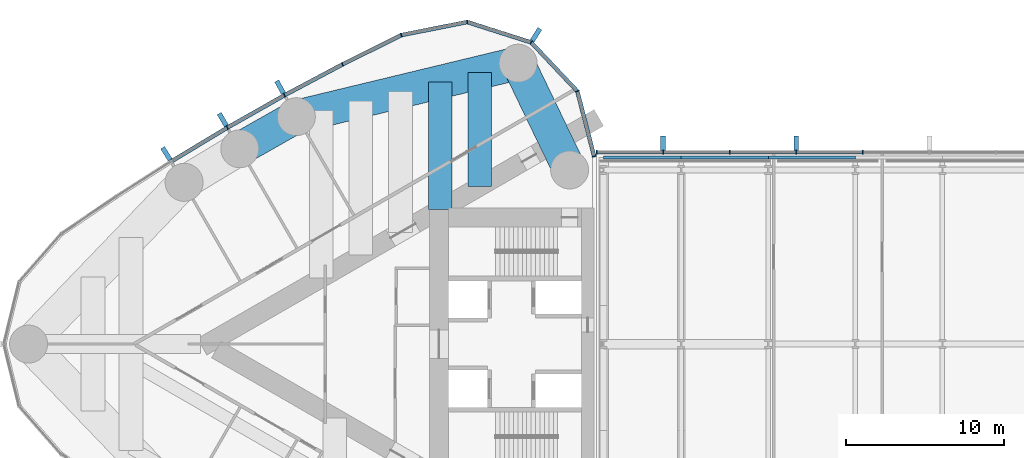
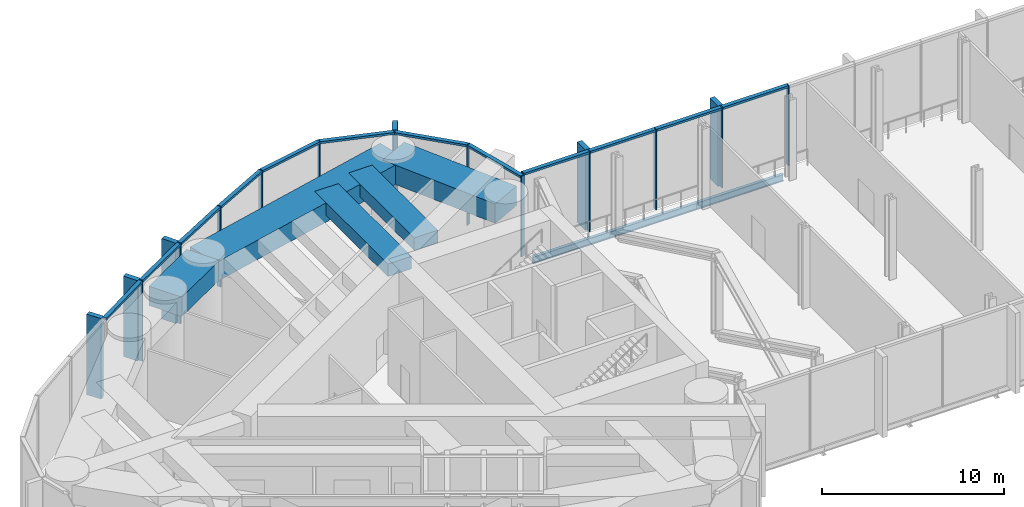
# One storey, part 6 of 21: 31 members, 8 beams, 2 elements without a shape of their own.
"""IFC4 building model written with IfcOpenShell, lengths in metres."""

from ifc_helpers import new_model, si_unit, direction, frame, origin, origin_2d, place, context, subcontext, project, spatial, rectangle, i_section, extrude, material, material_profile, profile_set, type_object, element, aggregate, save


model = new_model("IFC4")

# Units and contexts
model_context = context("Model", 3, precision=1e-05, world=origin(), true_north=direction((0.0, 1.0)))
body_context = subcontext(model_context, "Body", "Model", "MODEL_VIEW")
ifc_project = project(units=[si_unit("LENGTHUNIT", "METRE"), si_unit("AREAUNIT", "SQUARE_METRE"), si_unit("VOLUMEUNIT", "CUBIC_METRE"), si_unit("PLANEANGLEUNIT", "RADIAN"), si_unit("MASSUNIT", "GRAM", prefix="KILO")], contexts=[model_context])

# Site, building, storey
site_placement = place(None, origin())
site = spatial("IfcSite", under=ifc_project, at=site_placement, CompositionType="ELEMENT")
building_placement = place(site_placement, origin())
building = spatial("IfcBuilding", under=site, at=building_placement, Name="Lancet Gate Hotel", CompositionType="ELEMENT")
storey_placement = place(building_placement, frame((0.0, 0.0, 251.89990234375)))
storey = spatial("IfcBuildingStorey", under=building, at=storey_placement, Name="L67", CompositionType="ELEMENT", Elevation=251.89990234375)

# Curtain wall, members
ifc_material_1 = material(Name="Aluminium curtain wall", Category="aluminium")
curtain_wall_type = type_object("IfcCurtainWallType", Name="Sky deck full-height glazing", PredefinedType="USERDEFINED", material=ifc_material_1)
curtain_wall_1_placement = place(storey_placement, origin())
curtain_wall_1 = element("IfcCurtainWall", 1, at=curtain_wall_1_placement, inside=storey, type_object=curtain_wall_type, Name="T1 L67 curtain wall 1", ObjectType="UNITISED CURTAIN WALL", PredefinedType="USERDEFINED")
ifc_material_2 = material(Name="Aluminium mullion", Category="aluminium")
ifc_material_profile_1 = material_profile(ifc_material_2, rectangle(XDim=0.06494140625, YDim=0.25, at=origin_2d()), Name="MULLION 65x250")
ifc_profile_set_1 = profile_set([ifc_material_profile_1], Name="Aluminium mullion")
member_type_1 = type_object("IfcMemberType", Name="Aluminium mullion 65x250", PredefinedType="MULLION", material=ifc_profile_set_1)
member_1_placement = place(storey_placement, frame((-27.5, 11.861572265625, 0.0), z_axis=(0.0, 0.0, 1.0), x_axis=(-0.249725827997, 0.968316586056, 0.0)))
member_1 = element("IfcMember", 2, at=member_1_placement, type_object=member_type_1, Name="T1 L67 curtain wall 1 mullion 1", PredefinedType="MULLION", context=body_context, shape_type="SweptSolid", body=[
    extrude(rectangle(XDim=0.06494140625, YDim=0.25, at=origin_2d()), origin(), (0.0, 0.0, 1.0), 5.400146484375),
])
member_2_placement = place(storey_placement, frame((-28.56005859375, 15.97216796875, 0.0), z_axis=(0.0, 0.0, 1.0), x_axis=(-0.483627322447, 0.875274021654, 0.0)))
member_2 = element("IfcMember", 3, at=member_2_placement, type_object=member_type_1, Name="T1 L67 curtain wall 1 mullion 2", PredefinedType="MULLION", context=body_context, shape_type="SweptSolid", body=[
    extrude(rectangle(XDim=0.06494140625, YDim=0.25, at=origin_2d()), origin(), (0.0, 0.0, 1.0), 5.400146484375),
])
member_3_placement = place(storey_placement, frame((-31.476318359375, 19.0576171875, 0.0), z_axis=(0.0, 0.0, 1.0), x_axis=(-0.846612863, 0.532209225966, 0.0)))
member_3 = element("IfcMember", 4, at=member_3_placement, type_object=member_type_1, Name="T1 L67 curtain wall 1 mullion 3", PredefinedType="MULLION", context=body_context, shape_type="SweptSolid", body=[
    extrude(rectangle(XDim=0.06494140625, YDim=0.25, at=origin_2d()), origin(), (0.0, 0.0, 1.0), 5.400146484375),
])
member_4_placement = place(storey_placement, frame((-35.520751953125, 20.347900390625, 0.0), z_axis=(0.0, 0.0, 1.0), x_axis=(-0.998409168318, 0.056383797491, 0.0)))
member_4 = element("IfcMember", 5, at=member_4_placement, type_object=member_type_1, Name="T1 L67 curtain wall 1 mullion 4", PredefinedType="MULLION", context=body_context, shape_type="SweptSolid", body=[
    extrude(rectangle(XDim=0.06494140625, YDim=0.25, at=origin_2d()), origin(), (0.0, 0.0, 1.0), 5.400146484375),
])
member_5_placement = place(storey_placement, frame((-39.684814453125, 19.521240234375, 0.0), z_axis=(0.0, 0.0, 1.0), x_axis=(-0.946887706423, -0.321564412561, 0.0)))
member_5 = element("IfcMember", 6, at=member_5_placement, type_object=member_type_1, Name="T1 L67 curtain wall 1 mullion 5", PredefinedType="MULLION", context=body_context, shape_type="SweptSolid", body=[
    extrude(rectangle(XDim=0.06494140625, YDim=0.25, at=origin_2d()), origin(), (0.0, 0.0, 1.0), 5.400146484375),
])
member_6_placement = place(storey_placement, frame((-43.3994140625, 17.67236328125, 0.0), z_axis=(0.0, 0.0, 1.0), x_axis=(-0.889155526065, -0.457605125046, 0.0)))
member_6 = element("IfcMember", 7, at=member_6_placement, type_object=member_type_1, Name="T1 L67 curtain wall 1 mullion 6", PredefinedType="MULLION", context=body_context, shape_type="SweptSolid", body=[
    extrude(rectangle(XDim=0.06494140625, YDim=0.25, at=origin_2d()), origin(), (0.0, 0.0, 1.0), 5.400146484375),
])
member_7_placement = place(storey_placement, frame((-47.062744140625, 15.72412109375, 0.0), z_axis=(0.0, 0.0, 1.0), x_axis=(-0.876516407283, -0.481371984815, 0.0)))
member_7 = element("IfcMember", 8, at=member_7_placement, type_object=member_type_1, Name="T1 L67 curtain wall 1 mullion 7", PredefinedType="MULLION", context=body_context, shape_type="SweptSolid", body=[
    extrude(rectangle(XDim=0.06494140625, YDim=0.25, at=origin_2d()), origin(), (0.0, 0.0, 1.0), 5.400146484375),
])
member_8_placement = place(storey_placement, frame((-50.67236328125, 13.677978515625, 0.0), z_axis=(0.0, 0.0, 1.0), x_axis=(-0.863242155108, -0.504790037189, 0.0)))
member_8 = element("IfcMember", 9, at=member_8_placement, type_object=member_type_1, Name="T1 L67 curtain wall 1 mullion 8", PredefinedType="MULLION", context=body_context, shape_type="SweptSolid", body=[
    extrude(rectangle(XDim=0.06494140625, YDim=0.25, at=origin_2d()), origin(), (0.0, 0.0, 1.0), 5.400146484375),
])

curtain_wall_2_placement = place(storey_placement, origin())
curtain_wall_2 = element("IfcCurtainWall", 10, at=curtain_wall_2_placement, inside=storey, type_object=curtain_wall_type, Name="Bridge block L67 curtain wall N", ObjectType="UNITISED CURTAIN WALL", PredefinedType="USERDEFINED")
member_9_placement = place(storey_placement, frame((-10.519287109375, 12.1201171875, 0.0), z_axis=(0.0, 0.0, 1.0), x_axis=(-1.0, 0.0, 0.0)))
member_9 = element("IfcMember", 11, at=member_9_placement, type_object=member_type_1, Name="Bridge block L67 curtain wall N mullion 10", PredefinedType="MULLION", context=body_context, shape_type="SweptSolid", body=[
    extrude(rectangle(XDim=0.06494140625, YDim=0.25, at=origin_2d()), origin(), (0.0, 0.0, 1.0), 5.400146484375),
])
member_10_placement = place(storey_placement, frame((-14.726806640625, 12.1201171875, 0.0), z_axis=(0.0, 0.0, 1.0), x_axis=(-1.0, 0.0, 0.0)))
member_10 = element("IfcMember", 12, at=member_10_placement, type_object=member_type_1, Name="Bridge block L67 curtain wall N mullion 11", PredefinedType="MULLION", context=body_context, shape_type="SweptSolid", body=[
    extrude(rectangle(XDim=0.06494140625, YDim=0.25, at=origin_2d()), origin(), (0.0, 0.0, 1.0), 5.400146484375),
])
member_11_placement = place(storey_placement, frame((-18.9345703125, 12.1201171875, 0.0), z_axis=(0.0, 0.0, 1.0), x_axis=(-1.0, 0.0, 0.0)))
member_11 = element("IfcMember", 13, at=member_11_placement, type_object=member_type_1, Name="Bridge block L67 curtain wall N mullion 12", PredefinedType="MULLION", context=body_context, shape_type="SweptSolid", body=[
    extrude(rectangle(XDim=0.06494140625, YDim=0.25, at=origin_2d()), origin(), (0.0, 0.0, 1.0), 5.400146484375),
])
member_12_placement = place(storey_placement, frame((-23.142333984375, 12.1201171875, 0.0), z_axis=(0.0, 0.0, 1.0), x_axis=(-1.0, 0.0, 0.0)))
member_12 = element("IfcMember", 14, at=member_12_placement, type_object=member_type_1, Name="Bridge block L67 curtain wall N mullion 13", PredefinedType="MULLION", context=body_context, shape_type="SweptSolid", body=[
    extrude(rectangle(XDim=0.06494140625, YDim=0.25, at=origin_2d()), origin(), (0.0, 0.0, 1.0), 5.400146484375),
])
member_13_placement = place(storey_placement, frame((-27.35009765625, 12.1201171875, 0.0), z_axis=(0.0, 0.0, 1.0), x_axis=(-1.0, 0.0, 0.0)))
member_13 = element("IfcMember", 15, at=member_13_placement, type_object=member_type_1, Name="Bridge block L67 curtain wall N mullion 14", PredefinedType="MULLION", context=body_context, shape_type="SweptSolid", body=[
    extrude(rectangle(XDim=0.06494140625, YDim=0.25, at=origin_2d()), origin(), (0.0, 0.0, 1.0), 5.400146484375),
])

# Member
ifc_material_3 = material(Name="Aluminium transom", Category="aluminium")
ifc_material_profile_2 = material_profile(ifc_material_3, rectangle(XDim=0.25, YDim=0.14990234375, at=origin_2d()), Name="TRANSOM 250x150")
ifc_profile_set_2 = profile_set([ifc_material_profile_2], Name="Aluminium transom")
member_type_2 = type_object("IfcMemberType", Name="Aluminium transom 250x150", PredefinedType="USERDEFINED", material=ifc_profile_set_2)
member_14_placement = place(storey_placement, frame((-27.508056640625, 11.892822265625, 5.3251953125), z_axis=(-0.249715522936, 0.968319243641, 0.0), x_axis=(-0.968319243641, -0.249715522936, 0.0)))
member_14 = element("IfcMember", 16, at=member_14_placement, type_object=member_type_2, Name="T1 L67 curtain wall 1 transom 1", ObjectType="TRANSOM", PredefinedType="USERDEFINED", context=body_context, shape_type="SweptSolid", body=[
    extrude(rectangle(XDim=0.25, YDim=0.14990234375, at=origin_2d()), origin(), (0.0, 0.0, 1.0), 4.180419921875),
])

member_15_placement = place(storey_placement, frame((-28.58251953125, 15.995849609375, 5.3251953125), z_axis=(-0.686880731091, 0.726770157103, 0.0), x_axis=(-0.726770157103, -0.686880731091, 0.0)))
member_15 = element("IfcMember", 17, at=member_15_placement, type_object=member_type_2, Name="T1 L67 curtain wall 1 transom 2", ObjectType="TRANSOM", PredefinedType="USERDEFINED", context=body_context, shape_type="SweptSolid", body=[
    extrude(rectangle(XDim=0.25, YDim=0.14990234375, at=origin_2d()), origin(), (0.0, 0.0, 1.0), 4.18017578125),
])

member_16_placement = place(storey_placement, frame((-31.507080078125, 19.067626953125, 5.3251953125), z_axis=(-0.952697713775, 0.303919506068, 0.0), x_axis=(-0.303919506068, -0.952697713775, 0.0)))
member_16 = element("IfcMember", 18, at=member_16_placement, type_object=member_type_2, Name="T1 L67 curtain wall 1 transom 3", ObjectType="TRANSOM", PredefinedType="USERDEFINED", context=body_context, shape_type="SweptSolid", body=[
    extrude(rectangle(XDim=0.25, YDim=0.14990234375, at=origin_2d()), origin(), (0.0, 0.0, 1.0), 4.180419921875),
])

member_17_placement = place(storey_placement, frame((-35.552734375, 20.341552734375, 5.3251953125), z_axis=(-0.980858234867, -0.194723196085, 0.0), x_axis=(0.194723196085, -0.980858234867, 0.0)))
member_17 = element("IfcMember", 19, at=member_17_placement, type_object=member_type_2, Name="T1 L67 curtain wall 1 transom 4", ObjectType="TRANSOM", PredefinedType="USERDEFINED", context=body_context, shape_type="SweptSolid", body=[
    extrude(rectangle(XDim=0.25, YDim=0.14990234375, at=origin_2d()), origin(), (0.0, 0.0, 1.0), 4.18017578125),
])

member_18_placement = place(storey_placement, frame((-39.7138671875, 19.5068359375, 5.3251953125), z_axis=(-0.895226720479, -0.445610950202, 0.0), x_axis=(0.445610950202, -0.895226720479, 0.0)))
member_18 = element("IfcMember", 20, at=member_18_placement, type_object=member_type_2, Name="T1 L67 curtain wall 1 transom 5", ObjectType="TRANSOM", PredefinedType="USERDEFINED", context=body_context, shape_type="SweptSolid", body=[
    extrude(rectangle(XDim=0.25, YDim=0.14990234375, at=origin_2d()), origin(), (0.0, 0.0, 1.0), 4.08447265625),
])

member_19_placement = place(storey_placement, frame((-43.427978515625, 17.656982421875, 5.3251953125), z_axis=(-0.882944619844, -0.469477154171, 0.0), x_axis=(0.469477154171, -0.882944619844, 0.0)))
member_19 = element("IfcMember", 21, at=member_19_placement, type_object=member_type_2, Name="T1 L67 curtain wall 1 transom 6", ObjectType="TRANSOM", PredefinedType="USERDEFINED", context=body_context, shape_type="SweptSolid", body=[
    extrude(rectangle(XDim=0.25, YDim=0.14990234375, at=origin_2d()), origin(), (0.0, 0.0, 1.0), 4.084228515625),
])

member_20_placement = place(storey_placement, frame((-47.091064453125, 15.7080078125, 5.3251953125), z_axis=(-0.869977740049, -0.493090997503, 0.0), x_axis=(0.493090997503, -0.869977740049, 0.0)))
member_20 = element("IfcMember", 22, at=member_20_placement, type_object=member_type_2, Name="T1 L67 curtain wall 1 transom 7", ObjectType="TRANSOM", PredefinedType="USERDEFINED", context=body_context, shape_type="SweptSolid", body=[
    extrude(rectangle(XDim=0.25, YDim=0.14990234375, at=origin_2d()), origin(), (0.0, 0.0, 1.0), 4.084228515625),
])

member_21_placement = place(storey_placement, frame((-50.7001953125, 13.661376953125, 5.3251953125), z_axis=(-0.856362214892, -0.516375596737, 0.0), x_axis=(0.516375596737, -0.856362214892, 0.0)))
member_21 = element("IfcMember", 23, at=member_21_placement, type_object=member_type_2, Name="T1 L67 curtain wall 1 transom 8", ObjectType="TRANSOM", PredefinedType="USERDEFINED", context=body_context, shape_type="SweptSolid", body=[
    extrude(rectangle(XDim=0.25, YDim=0.14990234375, at=origin_2d()), origin(), (0.0, 0.0, 1.0), 4.08447265625),
])

member_22_placement = place(storey_placement, frame((-10.5517578125, 12.1201171875, 5.3251953125), z_axis=(-1.0, 0.0, 0.0), x_axis=(0.0, -1.0, 0.0)))
member_22 = element("IfcMember", 24, at=member_22_placement, type_object=member_type_2, Name="Bridge block L67 curtain wall N transom 10", ObjectType="TRANSOM", PredefinedType="USERDEFINED", context=body_context, shape_type="SweptSolid", body=[
    extrude(rectangle(XDim=0.25, YDim=0.14990234375, at=origin_2d()), origin(), (0.0, 0.0, 1.0), 4.142578125),
])

member_23_placement = place(storey_placement, frame((-14.759521484375, 12.1201171875, 5.3251953125), z_axis=(-1.0, 0.0, 0.0), x_axis=(0.0, -1.0, 0.0)))
member_23 = element("IfcMember", 25, at=member_23_placement, type_object=member_type_2, Name="Bridge block L67 curtain wall N transom 11", ObjectType="TRANSOM", PredefinedType="USERDEFINED", context=body_context, shape_type="SweptSolid", body=[
    extrude(rectangle(XDim=0.25, YDim=0.14990234375, at=origin_2d()), origin(), (0.0, 0.0, 1.0), 4.142578125),
])

member_24_placement = place(storey_placement, frame((-18.967041015625, 12.1201171875, 5.3251953125), z_axis=(-1.0, 0.0, 0.0), x_axis=(0.0, -1.0, 0.0)))
member_24 = element("IfcMember", 26, at=member_24_placement, type_object=member_type_2, Name="Bridge block L67 curtain wall N transom 12", ObjectType="TRANSOM", PredefinedType="USERDEFINED", context=body_context, shape_type="SweptSolid", body=[
    extrude(rectangle(XDim=0.25, YDim=0.14990234375, at=origin_2d()), origin(), (0.0, 0.0, 1.0), 4.142822265625),
])

member_25_placement = place(storey_placement, frame((-23.1748046875, 12.1201171875, 5.3251953125), z_axis=(-1.0, 0.0, 0.0), x_axis=(0.0, -1.0, 0.0)))
member_25 = element("IfcMember", 27, at=member_25_placement, type_object=member_type_2, Name="Bridge block L67 curtain wall N transom 13", ObjectType="TRANSOM", PredefinedType="USERDEFINED", context=body_context, shape_type="SweptSolid", body=[
    extrude(rectangle(XDim=0.25, YDim=0.14990234375, at=origin_2d()), origin(), (0.0, 0.0, 1.0), 4.142578125),
])

# Beams
ifc_material_4 = material(Name="Steel S355", Category="steel")
ifc_material_profile_3 = material_profile(ifc_material_4, i_section(OverallWidth=0.19140625, OverallDepth=0.4599609375, WebThickness=0.010009765625, FlangeThickness=0.01611328125, FilletRadius=0.01025390625, at=origin_2d()), Name="UKB 457x191x82")
ifc_profile_set_3 = profile_set([ifc_material_profile_3], Name="Steel S355")
beam_type_1 = type_object("IfcBeamType", Name="Block edge beam UKB 457x191x82", PredefinedType="SPANDREL", material=ifc_profile_set_3)
beam_1_placement = place(storey_placement, frame((-26.89990234375, 11.800048828125, -0.429931640625), z_axis=(1.0, 0.0, 0.0), x_axis=(0.0, 1.0, 0.0)))
element("IfcBeam", 28, at=beam_1_placement, inside=storey, type_object=beam_type_1, Name="Block edge beam N 0-1 L67", PredefinedType="SPANDREL", context=body_context, shape_type="SweptSolid", body=[
    extrude(i_section(OverallWidth=0.19140625, OverallDepth=0.4599609375, WebThickness=0.010009765625, FlangeThickness=0.01611328125, FilletRadius=0.01025390625, at=origin_2d()), origin(), (0.0, 0.0, 1.0), 4.89990234375),
])
for number, where, z_axis, x_axis, name in (
    (29, (-22.0, 11.800048828125, -0.429931640625), (1.0, 0.0, 0.0), (0.0, 1.0, 0.0), "Block edge beam N 1-2 L67"),
    (30, (-16.5, 11.800048828125, -0.429931640625), (1.0, 0.0, 0.0), (0.0, 1.0, 0.0), "Block edge beam N 2-3 L67"),
):
    element("IfcBeam", number, at=place(storey_placement, frame(where, z_axis=z_axis, x_axis=x_axis)), inside=storey, type_object=beam_type_1, Name=name, PredefinedType="SPANDREL", context=body_context, shape_type="SweptSolid", body=[
        extrude(i_section(OverallWidth=0.19140625, OverallDepth=0.4599609375, WebThickness=0.010009765625, FlangeThickness=0.01611328125, FilletRadius=0.01025390625, at=origin_2d()), origin(), (0.0, 0.0, 1.0), 5.5),
    ])
ifc_material_5 = material(Name="Concrete C50/60", Category="concrete")
ifc_material_profile_4 = material_profile(ifc_material_5, rectangle(XDim=2.10009765625, YDim=1.300048828125, at=origin_2d()), Name="RC 2100x1300")
ifc_profile_set_4 = profile_set([ifc_material_profile_4], Name="Concrete C50/60")
beam_type_2 = type_object("IfcBeamType", Name="Edge beam RC 2100x1300", PredefinedType="SPANDREL", material=ifc_profile_set_4)
beam_2_placement = place(storey_placement, frame((-32.301025390625, 17.745361328125, 4.5), z_axis=(-0.972132796948, -0.234430853556, 0.0), x_axis=(0.234430853556, -0.972132796948, 0.0)))
element("IfcBeam", 31, at=beam_2_placement, inside=storey, type_object=beam_type_2, Name="T1 edge beam EB1 L67", PredefinedType="SPANDREL", context=body_context, shape_type="SweptSolid", body=[
    extrude(rectangle(XDim=2.10009765625, YDim=1.300048828125, at=origin_2d()), origin(), (0.0, 0.0, 1.0), 14.41748046875),
])
beam_3_placement = place(storey_placement, frame((-46.316650390625, 14.365478515625, 4.5), z_axis=(-0.869978841992, -0.493089053301, 0.0), x_axis=(0.493089053301, -0.869978841992, 0.0)))
element("IfcBeam", 32, at=beam_3_placement, inside=storey, type_object=beam_type_2, Name="T1 edge beam EB1 L67", PredefinedType="SPANDREL", context=body_context, shape_type="SweptSolid", body=[
    extrude(rectangle(XDim=2.10009765625, YDim=1.300048828125, at=origin_2d()), origin(), (0.0, 0.0, 1.0), 4.107666015625),
])
beam_4_placement = place(storey_placement, frame((-32.301025390625, 17.745361328125, 4.5), z_axis=(0.434163599361, -0.900834040759, 0.0), x_axis=(0.900834040759, 0.434163599361, 0.0)))
element("IfcBeam", 33, at=beam_4_placement, inside=storey, type_object=beam_type_2, Name="T1 edge beam EB1 L67", PredefinedType="SPANDREL", context=body_context, shape_type="SweptSolid", body=[
    extrude(rectangle(XDim=2.10009765625, YDim=1.300048828125, at=origin_2d()), origin(), (0.0, 0.0, 1.0), 7.48779296875),
])

# Member
ifc_material_6 = material(Name="Precast concrete C50/60", Category="concrete")
ifc_material_profile_5 = material_profile(ifc_material_6, rectangle(XDim=0.300048828125, YDim=0.89990234375, at=origin_2d()), Name="FIN 300x900")
ifc_profile_set_5 = profile_set([ifc_material_profile_5], Name="Precast concrete C50/60")
member_type_3 = type_object("IfcMemberType", Name="Exposed concrete fin 300x900", PredefinedType="USERDEFINED", material=ifc_profile_set_5)
member_26_placement = place(storey_placement, frame((-31.170166015625, 19.54443359375, 0.0), z_axis=(0.0, 0.0, 1.0), x_axis=(-0.846612863, 0.532209225966, 0.0)))
member_26 = element("IfcMember", 34, at=member_26_placement, type_object=member_type_3, Name="T1 L67 curtain wall 1 fin 3", ObjectType="FIN", PredefinedType="USERDEFINED", context=body_context, shape_type="SweptSolid", body=[
    extrude(rectangle(XDim=0.300048828125, YDim=0.89990234375, at=origin_2d()), origin(), (0.0, 0.0, 1.0), 5.400146484375),
])

member_27_placement = place(storey_placement, frame((-47.339599609375, 16.22802734375, 0.0), z_axis=(0.0, 0.0, 1.0), x_axis=(-0.876516407283, -0.481371984815, 0.0)))
member_27 = element("IfcMember", 35, at=member_27_placement, type_object=member_type_3, Name="T1 L67 curtain wall 1 fin 7", ObjectType="FIN", PredefinedType="USERDEFINED", context=body_context, shape_type="SweptSolid", body=[
    extrude(rectangle(XDim=0.300048828125, YDim=0.89990234375, at=origin_2d()), origin(), (0.0, 0.0, 1.0), 5.400146484375),
])

member_28_placement = place(storey_placement, frame((-50.962646484375, 14.17431640625, 0.0), z_axis=(0.0, 0.0, 1.0), x_axis=(-0.863242155108, -0.504790037189, 0.0)))
member_28 = element("IfcMember", 36, at=member_28_placement, type_object=member_type_3, Name="T1 L67 curtain wall 1 fin 8", ObjectType="FIN", PredefinedType="USERDEFINED", context=body_context, shape_type="SweptSolid", body=[
    extrude(rectangle(XDim=0.300048828125, YDim=0.89990234375, at=origin_2d()), origin(), (0.0, 0.0, 1.0), 5.400146484375),
])

member_29_placement = place(storey_placement, frame((-54.529296875, 12.02392578125, 0.0), z_axis=(0.0, 0.0, 1.0), x_axis=(-0.849342388216, -0.527842313176, 0.0)))
member_29 = element("IfcMember", 37, at=member_29_placement, type_object=member_type_3, Name="T1 L67 curtain wall 1 fin 9", ObjectType="FIN", PredefinedType="USERDEFINED", context=body_context, shape_type="SweptSolid", body=[
    extrude(rectangle(XDim=0.300048828125, YDim=0.89990234375, at=origin_2d()), origin(), (0.0, 0.0, 1.0), 5.400146484375),
])

aggregate(curtain_wall_1, [member_1, member_2, member_3, member_26, member_4, member_5, member_6, member_7, member_27, member_8, member_28, member_29, member_14, member_15, member_16, member_17, member_18, member_19, member_20, member_21])

member_30_placement = place(storey_placement, frame((-14.726806640625, 12.695068359375, 0.0), z_axis=(0.0, 0.0, 1.0), x_axis=(-1.0, 0.0, 0.0)))
member_30 = element("IfcMember", 38, at=member_30_placement, type_object=member_type_3, Name="Bridge block L67 curtain wall N fin 11", ObjectType="FIN", PredefinedType="USERDEFINED", context=body_context, shape_type="SweptSolid", body=[
    extrude(rectangle(XDim=0.300048828125, YDim=0.89990234375, at=origin_2d()), origin(), (0.0, 0.0, 1.0), 5.400146484375),
])

member_31_placement = place(storey_placement, frame((-23.142333984375, 12.695068359375, 0.0), z_axis=(0.0, 0.0, 1.0), x_axis=(-1.0, 0.0, 0.0)))
member_31 = element("IfcMember", 39, at=member_31_placement, type_object=member_type_3, Name="Bridge block L67 curtain wall N fin 13", ObjectType="FIN", PredefinedType="USERDEFINED", context=body_context, shape_type="SweptSolid", body=[
    extrude(rectangle(XDim=0.300048828125, YDim=0.89990234375, at=origin_2d()), origin(), (0.0, 0.0, 1.0), 5.400146484375),
])

aggregate(curtain_wall_2, [member_9, member_10, member_30, member_11, member_12, member_31, member_13, member_22, member_23, member_24, member_25])

# Beams
ifc_material_7 = material(Name="Concrete C50/60", Category="concrete")
ifc_material_profile_6 = material_profile(ifc_material_7, rectangle(XDim=1.5, YDim=0.85009765625, at=origin_2d()), Name="RC 1500x850")
ifc_profile_set_6 = profile_set([ifc_material_profile_6], Name="Concrete C50/60")
beam_type_3 = type_object("IfcBeamType", Name="Floor beam RC 1500x850", PredefinedType="BEAM", material=ifc_profile_set_6)
beam_5_placement = place(storey_placement, frame((-34.720458984375, 17.161865234375, 4.72509765625), z_axis=(0.0, -1.0, 0.0), x_axis=(1.0, 0.0, 0.0)))
element("IfcBeam", 40, at=beam_5_placement, inside=storey, type_object=beam_type_3, Name="T1 floor beam F02S L67", PredefinedType="BEAM", context=body_context, shape_type="SweptSolid", body=[
    extrude(rectangle(XDim=1.5, YDim=0.85009765625, at=origin_2d()), origin(), (0.0, 0.0, 1.0), 7.203857421875),
])
beam_6_placement = place(storey_placement, frame((-37.227294921875, 16.557373046875, 4.72509765625), z_axis=(0.0, -1.0, 0.0), x_axis=(1.0, 0.0, 0.0)))
element("IfcBeam", 41, at=beam_6_placement, inside=storey, type_object=beam_type_3, Name="T1 floor beam F03S L67", PredefinedType="BEAM", context=body_context, shape_type="SweptSolid", body=[
    extrude(rectangle(XDim=1.5, YDim=0.85009765625, at=origin_2d()), origin(), (0.0, 0.0, 1.0), 8.046630859375),
])

save(model, "model.ifc")
